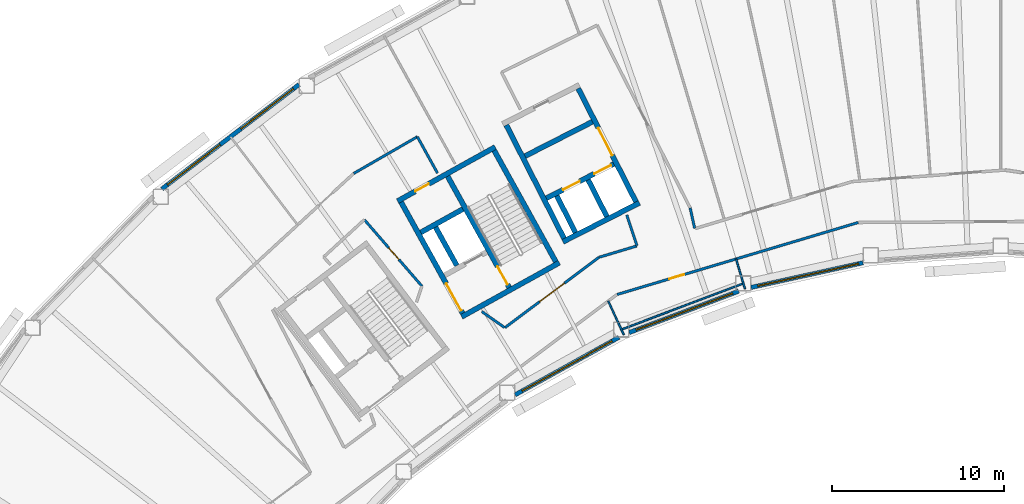
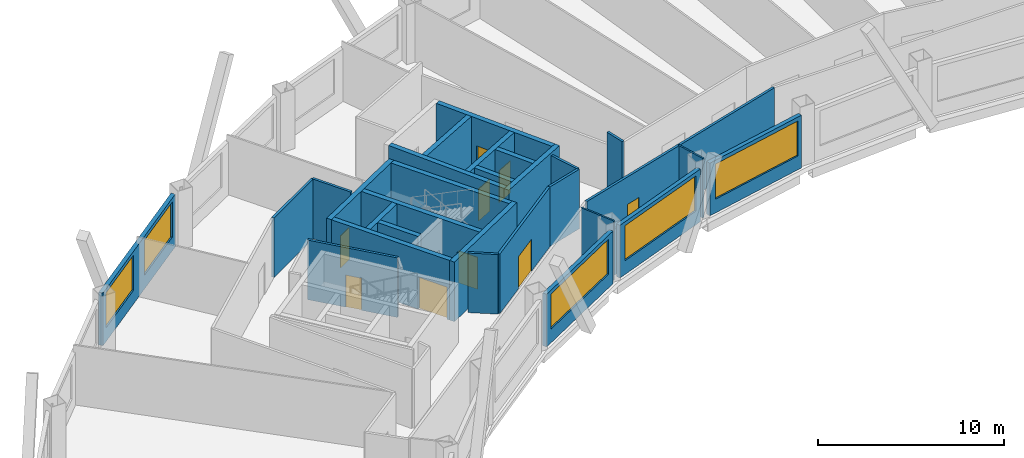
# One storey, part 6 of 13: 30 walls, 9 doors, 5 windows, 14 openings.
"""IFC4 building model written with IfcOpenShell, lengths in metres."""

from ifc_helpers import new_model, si_unit, direction, frame, frame_2d, origin, place, context, subcontext, project, spatial, rectangle, extrude, material, layer, layer_set, type_object, element, fill, save


model = new_model("IFC4")

# Units and contexts
model_context = context("Model", 3, precision=1e-05, world=origin(), true_north=direction((0.0, 1.0)))
body_context = subcontext(model_context, "Body", "Model", "MODEL_VIEW")
ifc_project = project(units=[si_unit("LENGTHUNIT", "METRE"), si_unit("AREAUNIT", "SQUARE_METRE"), si_unit("VOLUMEUNIT", "CUBIC_METRE"), si_unit("PLANEANGLEUNIT", "RADIAN"), si_unit("MASSUNIT", "GRAM", prefix="KILO")], contexts=[model_context])

# Site, building, storey
site_placement = place(None, origin())
site = spatial("IfcSite", under=ifc_project, at=site_placement, CompositionType="ELEMENT")
building_placement = place(site_placement, origin())
building = spatial("IfcBuilding", under=site, at=building_placement, Name="Tuul Gate Civic Tower", CompositionType="ELEMENT")
storey_placement = place(building_placement, frame((0.0, 0.0, 188.89990234375)))
storey = spatial("IfcBuildingStorey", under=building, at=storey_placement, Name="Level 43", CompositionType="ELEMENT", Elevation=188.89990234375)

# Walls
ifc_material_1 = material(Name="Concrete C50/60", Category="concrete")
ifc_layer_1 = layer(ifc_material_1, 0.300048828125)
ifc_layer_set_1 = layer_set([ifc_layer_1], Name="Concrete C50/60")
wall_type_1 = type_object("IfcWallType", Name="Core wall C50/60", PredefinedType="SHEAR", material=ifc_layer_set_1)
wall_1_placement = place(storey_placement, frame((-24.711669921875, -8.7158203125, 0.0), z_axis=(0.0, 0.0, 1.0), x_axis=(-0.874629909008, -0.484791215132, 0.0)))
element("IfcWall", 1, at=wall_1_placement, inside=storey, type_object=wall_type_1, Name="Core wall", PredefinedType="SHEAR", context=body_context, shape_type="SweptSolid", body=[
    extrude(rectangle(XDim=6.5, YDim=0.300048828125, at=frame_2d((3.25, 0.0))), origin(), (0.0, 0.0, 1.0), 3.900146484375),
])
wall_2_placement = place(storey_placement, frame((-30.327392578125, -5.59716796875, 0.0), z_axis=(0.0, 0.0, 1.0), x_axis=(-0.874629840737, -0.484791338301, 0.0)))
element("IfcWall", 2, at=wall_2_placement, inside=storey, type_object=wall_type_1, Name="Core wall", PredefinedType="SHEAR", context=body_context, shape_type="SweptSolid", body=[
    extrude(rectangle(XDim=2.800048828125, YDim=0.300048828125, at=frame_2d((1.39990234375, 0.0))), origin(), (0.0, 0.0, 1.0), 3.900146484375),
])

# Wall, opening, door
wall_3_placement = place(storey_placement, frame((-28.4443359375, -1.98095703125, 0.0), z_axis=(0.0, 0.0, 1.0), x_axis=(-0.874629909008, -0.484791215132, 0.0)))
wall_3 = element("IfcWall", 3, at=wall_3_placement, inside=storey, type_object=wall_type_1, Name="Core wall", PredefinedType="SHEAR", context=body_context, shape_type="SweptSolid", body=[
    extrude(rectangle(XDim=6.5, YDim=0.300048828125, at=frame_2d((3.25, 0.0))), origin(), (0.0, 0.0, 1.0), 3.900146484375),
])
opening_1_placement = place(wall_3_placement, frame((4.425048828125, 0.0, 0.0)))
opening_1 = element("IfcOpeningElement", 4, at=opening_1_placement, cuts=wall_3, Name="Opening O-D26", PredefinedType="OPENING", context=body_context, shape_type="SweptSolid", body=[
    extrude(rectangle(XDim=0.89990234375, YDim=2.10009765625, at=frame_2d((0.449951171875, 1.050048828125))), frame((0.0, 0.16015625, 0.0), z_axis=(0.0, -1.0, 0.0), x_axis=(1.0, 0.0, 0.0)), (0.0, 0.0, 1.0), 0.320068359375),
])
ifc_material_2 = material(Name="Timber door leaf", Category="wood")
door_type_1 = type_object("IfcDoorType", Name="Door D09", OperationType="NOTDEFINED", PredefinedType="DOOR", material=ifc_material_2)
door_1_placement = place(opening_1_placement, origin())
door_1 = element("IfcDoor", 5, at=door_1_placement, inside=storey, type_object=door_type_1, Name="Door O-D26", OperationType="SINGLE_SWING_LEFT", OverallHeight=2.10009765625, OverallWidth=0.89990234375, PredefinedType="DOOR", context=body_context, shape_type="SweptSolid", body=[
    extrude(rectangle(XDim=0.89990234375, YDim=2.10009765625, at=frame_2d((0.449951171875, 1.050048828125))), frame((0.0, 0.02490234375, 0.0), z_axis=(0.0, -1.0, 0.0), x_axis=(1.0, 0.0, 0.0)), (0.0, 0.0, 1.0), 0.050048828125),
])
fill(opening_1, door_1)

# Wall
wall_4_placement = place(storey_placement, frame((-24.91552734375, -8.6572265625, 0.0), z_axis=(0.0, 0.0, 1.0), x_axis=(-0.484777133038, 0.874637714304, 0.0)))
element("IfcWall", 6, at=wall_4_placement, inside=storey, type_object=wall_type_1, Name="Core wall", PredefinedType="SHEAR", context=body_context, shape_type="SweptSolid", body=[
    extrude(rectangle(XDim=7.400146484375, YDim=0.300048828125, at=frame_2d((3.7001953125, 0.0))), origin(), (0.0, 0.0, 1.0), 3.900146484375),
])

# Wall, opening, door
wall_5_placement = place(storey_placement, frame((-27.626953125, -10.16015625, 0.0), z_axis=(0.0, 0.0, 1.0), x_axis=(-0.484751894226, 0.874651702704, 0.0)))
wall_5 = element("IfcWall", 7, at=wall_5_placement, inside=storey, type_object=wall_type_1, Name="Core wall", PredefinedType="SHEAR", context=body_context, shape_type="SweptSolid", body=[
    extrude(rectangle(XDim=7.39990234375, YDim=0.300048828125, at=frame_2d((3.699951171875, 0.0))), origin(), (0.0, 0.0, 1.0), 3.900146484375),
])
opening_2_placement = place(wall_5_placement, frame((0.199951171875, 0.0, 0.0)))
opening_2 = element("IfcOpeningElement", 8, at=opening_2_placement, cuts=wall_5, Name="Opening SD-ST-2", PredefinedType="OPENING", context=body_context, shape_type="SweptSolid", body=[
    extrude(rectangle(XDim=1.199951171875, YDim=2.10009765625, at=frame_2d((0.60009765625, 1.050048828125))), frame((0.0, 0.16015625, 0.0), z_axis=(0.0, -1.0, 0.0), x_axis=(1.0, 0.0, 0.0)), (0.0, 0.0, 1.0), 0.320068359375),
])
ifc_material_3 = material(Name="Steel", Category="steel")
door_type_2 = type_object("IfcDoorType", Name="Stair door", OperationType="NOTDEFINED", PredefinedType="DOOR", material=ifc_material_3)
door_2_placement = place(opening_2_placement, origin())
door_2 = element("IfcDoor", 9, at=door_2_placement, inside=storey, type_object=door_type_2, Name="Stair door ST-2", OperationType="SINGLE_SWING_LEFT", OverallHeight=2.10009765625, OverallWidth=1.199951171875, PredefinedType="DOOR", context=body_context, shape_type="SweptSolid", body=[
    extrude(rectangle(XDim=1.199951171875, YDim=2.10009765625, at=frame_2d((0.60009765625, 1.050048828125))), frame((0.0, 0.02490234375, 0.0), z_axis=(0.0, -1.0, 0.0), x_axis=(1.0, 0.0, 0.0)), (0.0, 0.0, 1.0), 0.050048828125),
])
fill(opening_2, door_2)

# Wall
wall_6_placement = place(storey_placement, frame((-30.680419921875, -8.8798828125, 0.0), z_axis=(0.0, 0.0, 1.0), x_axis=(-0.484724115216, 0.874667097888, 0.0)))
element("IfcWall", 10, at=wall_6_placement, inside=storey, type_object=wall_type_1, Name="Core wall", PredefinedType="SHEAR", context=body_context, shape_type="SweptSolid", body=[
    extrude(rectangle(XDim=2.550048828125, YDim=0.300048828125, at=frame_2d((1.27490234375, 0.0))), origin(), (0.0, 0.0, 1.0), 3.900146484375),
])

# Wall, opening, door
wall_7_placement = place(storey_placement, frame((-30.33837890625, -11.6630859375, 0.0), z_axis=(0.0, 0.0, 1.0), x_axis=(-0.484751894226, 0.874651702704, 0.0)))
wall_7 = element("IfcWall", 11, at=wall_7_placement, inside=storey, type_object=wall_type_1, Name="Core wall", PredefinedType="SHEAR", context=body_context, shape_type="SweptSolid", body=[
    extrude(rectangle(XDim=7.39990234375, YDim=0.300048828125, at=frame_2d((3.699951171875, 0.0))), origin(), (0.0, 0.0, 1.0), 3.900146484375),
])
opening_3_placement = place(wall_7_placement, frame((0.175048828125, 0.0, 0.0)))
opening_3 = element("IfcOpeningElement", 12, at=opening_3_placement, cuts=wall_7, Name="Opening LB-W2-FLOBBY-1", PredefinedType="OPENING", context=body_context, shape_type="SweptSolid", body=[
    extrude(rectangle(XDim=1.800048828125, YDim=2.10009765625, at=frame_2d((0.89990234375, 1.050048828125))), frame((0.0, 0.16015625, 0.0), z_axis=(0.0, -1.0, 0.0), x_axis=(1.0, 0.0, 0.0)), (0.0, 0.0, 1.0), 0.320068359375),
])
ifc_material_4 = material(Name="Steel", Category="steel")
door_type_3 = type_object("IfcDoorType", Name="Lobby door", OperationType="DOUBLE_DOOR_SINGLE_SWING", PredefinedType="DOOR", material=ifc_material_4)
door_3_placement = place(opening_3_placement, frame((1.800048828125, 0.0, 0.0), z_axis=(0.0, 0.0, 1.0), x_axis=(-1.0, 0.0, 0.0)))
door_3 = element("IfcDoor", 13, at=door_3_placement, inside=storey, type_object=door_type_3, Name="Lobby door W2-FLOBBY", OperationType="DOUBLE_DOOR_SINGLE_SWING", OverallHeight=2.10009765625, OverallWidth=1.800048828125, PredefinedType="DOOR", context=body_context, shape_type="SweptSolid", body=[
    extrude(rectangle(XDim=1.800048828125, YDim=2.10009765625, at=frame_2d((0.900146484375, 1.050048828125))), frame((0.0, 0.02490234375, 0.0), z_axis=(0.0, -1.0, 0.0), x_axis=(1.0, 0.0, 0.0)), (0.0, 0.0, 1.0), 0.050048828125),
])
fill(opening_3, door_3)

# Walls
ifc_material_5 = material(Name="Gypsum board partition")
ifc_layer_2 = layer(ifc_material_5, 0.14990234375)
ifc_layer_set_2 = layer_set([ifc_layer_2], Name="Gypsum board partition")
wall_type_2 = type_object("IfcWallType", Name="Corridor wall P150", PredefinedType="PARTITIONING", material=ifc_layer_set_2)
wall_8_placement = place(storey_placement, frame((-22.3984375, -8.3994140625, 0.0), z_axis=(0.0, 0.0, 1.0), x_axis=(0.958110373466, 0.286399218323, 0.0)))
element("IfcWall", 14, at=wall_8_placement, inside=storey, type_object=wall_type_2, Name="p038", PredefinedType="PARTITIONING", context=body_context, shape_type="SweptSolid", body=[
    extrude(rectangle(XDim=2.29052734375, YDim=0.14990234375, at=frame_2d((1.145263671875, 0.0))), origin(), (0.0, 0.0, 1.0), 3.900146484375),
])
wall_9_placement = place(storey_placement, frame((-17.09326171875, -5.527099609375, 0.0), z_axis=(0.0, 0.0, 1.0), x_axis=(0.214248284718, -0.976779234267, 0.0)))
element("IfcWall", 15, at=wall_9_placement, inside=storey, type_object=wall_type_2, Name="p043", PredefinedType="PARTITIONING", context=body_context, shape_type="SweptSolid", body=[
    extrude(rectangle(XDim=1.21484375, YDim=0.14990234375, at=frame_2d((0.607421875, 0.0))), origin(), (0.0, 0.0, 1.0), 3.900146484375),
])
wall_10_placement = place(storey_placement, frame((-20.781005859375, -5.94189453125, 0.0), z_axis=(0.0, 0.0, 1.0), x_axis=(0.315405870294, -0.948956867821, 0.0)))
element("IfcWall", 16, at=wall_10_placement, inside=storey, type_object=wall_type_2, Name="p048", PredefinedType="PARTITIONING", context=body_context, shape_type="SweptSolid", body=[
    extrude(rectangle(XDim=1.87158203125, YDim=0.14990234375, at=frame_2d((0.935791015625, 0.0))), origin(), (0.0, 0.0, 1.0), 3.900146484375),
])

# Wall, opening, door
wall_11_placement = place(storey_placement, frame((-27.875, -12.496337890625, 0.0), z_axis=(0.0, 0.0, 1.0), x_axis=(0.800736165512, 0.599017189437, 0.0)))
wall_11 = element("IfcWall", 17, at=wall_11_placement, inside=storey, type_object=wall_type_2, Name="p051", PredefinedType="PARTITIONING", context=body_context, shape_type="SweptSolid", body=[
    extrude(rectangle(XDim=6.83935546875, YDim=0.14990234375, at=frame_2d((3.419677734375, 0.0))), origin(), (0.0, 0.0, 1.0), 3.900146484375),
])
opening_4_placement = place(wall_11_placement, frame((2.519775390625, 0.0, 0.0)))
opening_4 = element("IfcOpeningElement", 18, at=opening_4_placement, cuts=wall_11, Name="Opening O-D15", PredefinedType="OPENING", context=body_context, shape_type="SweptSolid", body=[
    extrude(rectangle(XDim=1.800048828125, YDim=2.10009765625, at=frame_2d((0.89990234375, 1.050048828125))), frame((0.0, 0.0849609375, 0.0), z_axis=(0.0, -1.0, 0.0), x_axis=(1.0, 0.0, 0.0)), (0.0, 0.0, 1.0), 0.169921875),
])
ifc_material_6 = material(Name="Timber door leaf, double", Category="wood")
door_type_4 = type_object("IfcDoorType", Name="Door D18", OperationType="DOUBLE_DOOR_SINGLE_SWING", PredefinedType="DOOR", material=ifc_material_6)
door_4_placement = place(opening_4_placement, origin())
door_4 = element("IfcDoor", 19, at=door_4_placement, inside=storey, type_object=door_type_4, Name="Door O-D15", OperationType="DOUBLE_DOOR_SINGLE_SWING", OverallHeight=2.10009765625, OverallWidth=1.800048828125, PredefinedType="DOOR", context=body_context, shape_type="SweptSolid", body=[
    extrude(rectangle(XDim=1.800048828125, YDim=2.10009765625, at=frame_2d((0.89990234375, 1.050048828125))), frame((0.0, 0.02490234375, 0.0), z_axis=(0.0, -1.0, 0.0), x_axis=(1.0, 0.0, 0.0)), (0.0, 0.0, 1.0), 0.050048828125),
])
fill(opening_4, door_4)

# Walls
wall_12_placement = place(storey_placement, frame((-29.22509765625, -11.560302734375, 0.0), z_axis=(0.0, 0.0, 1.0), x_axis=(0.818164960275, -0.57498356305, 0.0)))
element("IfcWall", 20, at=wall_12_placement, inside=storey, type_object=wall_type_2, Name="p052", PredefinedType="PARTITIONING", context=body_context, shape_type="SweptSolid", body=[
    extrude(rectangle(XDim=1.62548828125, YDim=0.14990234375, at=frame_2d((0.812744140625, 0.0))), origin(), (0.0, 0.0, 1.0), 3.900146484375),
])
wall_13_placement = place(storey_placement, frame((-32.97705078125, -1.38330078125, 0.0), z_axis=(0.0, 0.0, 1.0), x_axis=(0.484666108147, -0.874699241805, 0.0)))
element("IfcWall", 21, at=wall_13_placement, inside=storey, type_object=wall_type_2, Name="p054", PredefinedType="PARTITIONING", context=body_context, shape_type="SweptSolid", body=[
    extrude(rectangle(XDim=2.419921875, YDim=0.14990234375, at=frame_2d((1.2099609375, 0.0))), origin(), (0.0, 0.0, 1.0), 3.900146484375),
])
wall_14_placement = place(storey_placement, frame((-36.682861328125, -3.5205078125, 0.0), z_axis=(0.0, 0.0, 1.0), x_axis=(0.866195088107, 0.499705982893, 0.0)))
element("IfcWall", 22, at=wall_14_placement, inside=storey, type_object=wall_type_2, Name="p055", PredefinedType="PARTITIONING", context=body_context, shape_type="SweptSolid", body=[
    extrude(rectangle(XDim=4.27734375, YDim=0.14990234375, at=frame_2d((2.138671875, 0.0))), origin(), (0.0, 0.0, 1.0), 3.900146484375),
])

# Wall, opening, door
wall_15_placement = place(storey_placement, frame((-21.347900390625, -10.5673828125, 0.0), z_axis=(0.0, 0.0, 1.0), x_axis=(0.958201559869, 0.286093989214, 0.0)))
wall_15 = element("IfcWall", 23, at=wall_15_placement, inside=storey, type_object=wall_type_2, Name="p062", PredefinedType="PARTITIONING", context=body_context, shape_type="SweptSolid", body=[
    extrude(rectangle(XDim=14.650390625, YDim=0.14990234375, at=frame_2d((7.3251953125, 0.0))), origin(), (0.0, 0.0, 1.0), 3.900146484375),
])
opening_5_placement = place(wall_15_placement, frame((3.165283203125, 0.0, 0.0)))
opening_5 = element("IfcOpeningElement", 24, at=opening_5_placement, cuts=wall_15, Name="Opening O-D20", PredefinedType="OPENING", context=body_context, shape_type="SweptSolid", body=[
    extrude(rectangle(XDim=0.89990234375, YDim=2.10009765625, at=frame_2d((0.449951171875, 1.050048828125))), frame((0.0, 0.0849609375, 0.0), z_axis=(0.0, -1.0, 0.0), x_axis=(1.0, 0.0, 0.0)), (0.0, 0.0, 1.0), 0.169921875),
])
door_5_placement = place(opening_5_placement, frame((0.89990234375, 0.0, 0.0), z_axis=(0.0, 0.0, 1.0), x_axis=(-1.0, 0.0, 0.0)))
door_5 = element("IfcDoor", 25, at=door_5_placement, inside=storey, type_object=door_type_1, Name="Door O-D20", OperationType="SINGLE_SWING_LEFT", OverallHeight=2.10009765625, OverallWidth=0.89990234375, PredefinedType="DOOR", context=body_context, shape_type="SweptSolid", body=[
    extrude(rectangle(XDim=0.89990234375, YDim=2.10009765625, at=frame_2d((0.449951171875, 1.050048828125))), frame((0.0, 0.02490234375, 0.0), z_axis=(0.0, -1.0, 0.0), x_axis=(1.0, 0.0, 0.0)), (0.0, 0.0, 1.0), 0.050048828125),
])
fill(opening_5, door_5)

wall_16_placement = place(storey_placement, frame((-36.064208984375, -6.21044921875, 0.0), z_axis=(0.0, 0.0, 1.0), x_axis=(0.654790642305, -0.755810303416, 0.0)))
wall_16 = element("IfcWall", 26, at=wall_16_placement, inside=storey, type_object=wall_type_2, Name="p067", PredefinedType="PARTITIONING", context=body_context, shape_type="SweptSolid", body=[
    extrude(rectangle(XDim=5.1162109375, YDim=0.14990234375, at=frame_2d((2.55810546875, 0.0))), origin(), (0.0, 0.0, 1.0), 3.900146484375),
])
opening_6_placement = place(wall_16_placement, frame((2.1748046875, 0.0, 0.0)))
opening_6 = element("IfcOpeningElement", 27, at=opening_6_placement, cuts=wall_16, Name="Opening O-D22", PredefinedType="OPENING", context=body_context, shape_type="SweptSolid", body=[
    extrude(rectangle(XDim=0.89990234375, YDim=2.10009765625, at=frame_2d((0.449951171875, 1.050048828125))), frame((0.0, 0.0849609375, 0.0), z_axis=(0.0, -1.0, 0.0), x_axis=(1.0, 0.0, 0.0)), (0.0, 0.0, 1.0), 0.169921875),
])
door_6_placement = place(opening_6_placement, origin())
door_6 = element("IfcDoor", 28, at=door_6_placement, inside=storey, type_object=door_type_1, Name="Door O-D22", OperationType="SINGLE_SWING_RIGHT", OverallHeight=2.10009765625, OverallWidth=0.89990234375, PredefinedType="DOOR", context=body_context, shape_type="SweptSolid", body=[
    extrude(rectangle(XDim=0.89990234375, YDim=2.10009765625, at=frame_2d((0.449951171875, 1.050048828125))), frame((0.0, 0.02490234375, 0.0), z_axis=(0.0, -1.0, 0.0), x_axis=(1.0, 0.0, 0.0)), (0.0, 0.0, 1.0), 0.050048828125),
])
fill(opening_6, door_6)

# Wall, openings, windows
ifc_material_7 = material(Name="Precast concrete C40/50", Category="concrete")
ifc_layer_3 = layer(ifc_material_7, 0.25)
ifc_layer_set_3 = layer_set([ifc_layer_3], Name="Precast concrete C40/50")
wall_type_3 = type_object("IfcWallType", Name="External wall", PredefinedType="STANDARD", material=ifc_layer_set_3)
wall_17_placement = place(storey_placement, frame((-39.862060546875, 1.659423828125, 0.0), z_axis=(0.0, 0.0, 1.0), x_axis=(-0.795600211162, -0.605822006862, 0.0)))
wall_17 = element("IfcWall", 29, at=wall_17_placement, inside=storey, type_object=wall_type_3, Name="External wall", PredefinedType="STANDARD", context=body_context, shape_type="SweptSolid", body=[
    extrude(rectangle(XDim=10.043212890625, YDim=0.25, at=frame_2d((5.021484375, 0.0))), origin(), (0.0, 0.0, 1.0), 3.4501953125),
])
opening_7_placement = place(wall_17_placement, frame((0.410400390625, 0.0, 0.89990234375)))
opening_7 = element("IfcOpeningElement", 30, at=opening_7_placement, cuts=wall_17, Name="Opening W22", PredefinedType="OPENING", context=body_context, shape_type="SweptSolid", body=[
    extrude(rectangle(XDim=3.85009765625, YDim=2.300048828125, at=frame_2d((1.925048828125, 1.14990234375))), frame((0.0, 0.135009765625, 0.0), z_axis=(0.0, -1.0, 0.0), x_axis=(1.0, 0.0, 0.0)), (0.0, 0.0, 1.0), 0.27001953125),
])
opening_8_placement = place(wall_17_placement, frame((5.78173828125, 0.0, 0.89990234375)))
opening_8 = element("IfcOpeningElement", 31, at=opening_8_placement, cuts=wall_17, Name="Opening W22", PredefinedType="OPENING", context=body_context, shape_type="SweptSolid", body=[
    extrude(rectangle(XDim=3.85009765625, YDim=2.300048828125, at=frame_2d((1.925048828125, 1.14990234375))), frame((0.0, 0.135009765625, 0.0), z_axis=(0.0, -1.0, 0.0), x_axis=(1.0, 0.0, 0.0)), (0.0, 0.0, 1.0), 0.27001953125),
])
ifc_material_8 = material(Name="Glass", Category="glass")
window_type_1 = type_object("IfcWindowType", Name="Window W22 3850 x 2300", PartitioningType="SINGLE_PANEL", PredefinedType="WINDOW", material=ifc_material_8)
window_1_placement = place(opening_7_placement, origin())
window_1 = element("IfcWindow", 32, at=window_1_placement, inside=storey, type_object=window_type_1, Name="Window", OverallHeight=2.300048828125, OverallWidth=3.85009765625, PartitioningType="SINGLE_PANEL", PredefinedType="WINDOW", context=body_context, shape_type="SweptSolid", body=[
    extrude(rectangle(XDim=3.85009765625, YDim=2.300048828125, at=frame_2d((1.925048828125, 1.14990234375))), frame((0.0, 0.030029296875, 0.0), z_axis=(0.0, -1.0, 0.0), x_axis=(1.0, 0.0, 0.0)), (0.0, 0.0, 1.0), 0.06005859375),
])
fill(opening_7, window_1)
window_2_placement = place(opening_8_placement, origin())
window_2 = element("IfcWindow", 33, at=window_2_placement, inside=storey, type_object=window_type_1, Name="Window", OverallHeight=2.300048828125, OverallWidth=3.85009765625, PartitioningType="SINGLE_PANEL", PredefinedType="WINDOW", context=body_context, shape_type="SweptSolid", body=[
    extrude(rectangle(XDim=3.85009765625, YDim=2.300048828125, at=frame_2d((1.925048828125, 1.14990234375))), frame((0.0, 0.030029296875, 0.0), z_axis=(0.0, -1.0, 0.0), x_axis=(1.0, 0.0, 0.0)), (0.0, 0.0, 1.0), 0.06005859375),
])
fill(opening_8, window_2)

# Wall, opening, window
wall_18_placement = place(storey_placement, frame((-27.287109375, -16.41064453125, 0.0), z_axis=(0.0, 0.0, 1.0), x_axis=(0.874626480016, 0.484797401452, 0.0)))
wall_18 = element("IfcWall", 34, at=wall_18_placement, inside=storey, type_object=wall_type_3, Name="External wall", PredefinedType="STANDARD", context=body_context, shape_type="SweptSolid", body=[
    extrude(rectangle(XDim=6.915283203125, YDim=0.25, at=frame_2d((3.45751953125, 0.0))), origin(), (0.0, 0.0, 1.0), 3.4501953125),
])
opening_9_placement = place(wall_18_placement, frame((0.4619140625, 0.0, 0.89990234375)))
opening_9 = element("IfcOpeningElement", 35, at=opening_9_placement, cuts=wall_18, Name="Opening W26", PredefinedType="OPENING", context=body_context, shape_type="SweptSolid", body=[
    extrude(rectangle(XDim=6.0, YDim=2.300048828125, at=frame_2d((3.0, 1.14990234375))), frame((0.0, 0.135009765625, 0.0), z_axis=(0.0, -1.0, 0.0), x_axis=(1.0, 0.0, 0.0)), (0.0, 0.0, 1.0), 0.27001953125),
])
ifc_material_9 = material(Name="Glass", Category="glass")
window_type_2 = type_object("IfcWindowType", Name="Window W26 6000 x 2300", PartitioningType="SINGLE_PANEL", PredefinedType="WINDOW", material=ifc_material_9)
window_3_placement = place(opening_9_placement, origin())
window_3 = element("IfcWindow", 36, at=window_3_placement, inside=storey, type_object=window_type_2, Name="Window", OverallHeight=2.300048828125, OverallWidth=6.0, PartitioningType="SINGLE_PANEL", PredefinedType="WINDOW", context=body_context, shape_type="SweptSolid", body=[
    extrude(rectangle(XDim=6.0, YDim=2.300048828125, at=frame_2d((3.0, 1.14990234375))), frame((0.0, 0.030029296875, 0.0), z_axis=(0.0, -1.0, 0.0), x_axis=(1.0, 0.0, 0.0)), (0.0, 0.0, 1.0), 0.06005859375),
])
fill(opening_9, window_3)

wall_19_placement = place(storey_placement, frame((-20.64697265625, -12.78515625, 0.0), z_axis=(0.0, 0.0, 1.0), x_axis=(0.935360534404, 0.353695731779, 0.0)))
wall_19 = element("IfcWall", 37, at=wall_19_placement, inside=storey, type_object=wall_type_3, Name="External wall", PredefinedType="STANDARD", context=body_context, shape_type="SweptSolid", body=[
    extrude(rectangle(XDim=6.81982421875, YDim=0.25, at=frame_2d((3.409912109375, 0.0))), origin(), (0.0, 0.0, 1.0), 3.4501953125),
])
opening_10_placement = place(wall_19_placement, frame((0.43798828125, 0.0, 0.89990234375)))
opening_10 = element("IfcOpeningElement", 38, at=opening_10_placement, cuts=wall_19, Name="Opening W26", PredefinedType="OPENING", context=body_context, shape_type="SweptSolid", body=[
    extrude(rectangle(XDim=6.0, YDim=2.300048828125, at=frame_2d((3.0, 1.14990234375))), frame((0.0, 0.135009765625, 0.0), z_axis=(0.0, -1.0, 0.0), x_axis=(1.0, 0.0, 0.0)), (0.0, 0.0, 1.0), 0.27001953125),
])
window_4_placement = place(opening_10_placement, origin())
window_4 = element("IfcWindow", 39, at=window_4_placement, inside=storey, type_object=window_type_2, Name="Window", OverallHeight=2.300048828125, OverallWidth=6.0, PartitioningType="SINGLE_PANEL", PredefinedType="WINDOW", context=body_context, shape_type="SweptSolid", body=[
    extrude(rectangle(XDim=6.0, YDim=2.300048828125, at=frame_2d((3.0, 1.14990234375))), frame((0.0, 0.030029296875, 0.0), z_axis=(0.0, -1.0, 0.0), x_axis=(1.0, 0.0, 0.0)), (0.0, 0.0, 1.0), 0.06005859375),
])
fill(opening_10, window_4)

wall_20_placement = place(storey_placement, frame((-13.5458984375, -10.15625, 0.0), z_axis=(0.0, 0.0, 1.0), x_axis=(0.976558520258, 0.21525207667, 0.0)))
wall_20 = element("IfcWall", 40, at=wall_20_placement, inside=storey, type_object=wall_type_3, Name="External wall", PredefinedType="STANDARD", context=body_context, shape_type="SweptSolid", body=[
    extrude(rectangle(XDim=6.670166015625, YDim=0.25, at=frame_2d((3.3349609375, 0.0))), origin(), (0.0, 0.0, 1.0), 3.4501953125),
])
opening_11_placement = place(wall_20_placement, frame((0.406982421875, 0.0, 0.89990234375)))
opening_11 = element("IfcOpeningElement", 41, at=opening_11_placement, cuts=wall_20, Name="Opening W26", PredefinedType="OPENING", context=body_context, shape_type="SweptSolid", body=[
    extrude(rectangle(XDim=6.0, YDim=2.300048828125, at=frame_2d((3.0, 1.14990234375))), frame((0.0, 0.135009765625, 0.0), z_axis=(0.0, -1.0, 0.0), x_axis=(1.0, 0.0, 0.0)), (0.0, 0.0, 1.0), 0.27001953125),
])
window_5_placement = place(opening_11_placement, origin())
window_5 = element("IfcWindow", 42, at=window_5_placement, inside=storey, type_object=window_type_2, Name="Window", OverallHeight=2.300048828125, OverallWidth=6.0, PartitioningType="SINGLE_PANEL", PredefinedType="WINDOW", context=body_context, shape_type="SweptSolid", body=[
    extrude(rectangle(XDim=6.0, YDim=2.300048828125, at=frame_2d((3.0, 1.14990234375))), frame((0.0, 0.030029296875, 0.0), z_axis=(0.0, -1.0, 0.0), x_axis=(1.0, 0.0, 0.0)), (0.0, 0.0, 1.0), 0.06005859375),
])
fill(opening_11, window_5)

# Wall
ifc_material_10 = material(Name="Concrete C40/50", Category="concrete")
ifc_layer_4 = layer(ifc_material_10, 0.300048828125)
ifc_layer_set_4 = layer_set([ifc_layer_4], Name="Concrete C40/50")
wall_type_4 = type_object("IfcWallType", Name="Lift shaft wall C40/50", PredefinedType="STANDARD", material=ifc_layer_set_4)
wall_21_placement = place(storey_placement, frame((-20.049072265625, -5.232421875, 0.0), z_axis=(0.0, 0.0, 1.0), x_axis=(-0.891002976909, -0.453997461601, 0.0)))
element("IfcWall", 43, at=wall_21_placement, inside=storey, type_object=wall_type_4, Name="Shaft wall", PredefinedType="STANDARD", context=body_context, shape_type="SweptSolid", body=[
    extrude(rectangle(XDim=5.0, YDim=0.300048828125, at=frame_2d((2.5, 0.0))), origin(), (0.0, 0.0, 1.0), 3.900146484375),
])

# Wall, openings, doors
wall_22_placement = place(storey_placement, frame((-21.542236328125, -2.962890625, 0.0), z_axis=(0.0, 0.0, 1.0), x_axis=(-0.891005618941, -0.453992276384, 0.0)))
wall_22 = element("IfcWall", 44, at=wall_22_placement, inside=storey, type_object=wall_type_4, Name="Shaft wall", PredefinedType="STANDARD", context=body_context, shape_type="SweptSolid", body=[
    extrude(rectangle(XDim=4.39990234375, YDim=0.300048828125, at=frame_2d((2.199951171875, 0.0))), origin(), (0.0, 0.0, 1.0), 3.900146484375),
])
opening_12_placement = place(wall_22_placement, frame((0.175048828125, 0.0, 0.0)))
opening_12 = element("IfcOpeningElement", 45, at=opening_12_placement, cuts=wall_22, Name="Opening LD-M1", PredefinedType="OPENING", context=body_context, shape_type="SweptSolid", body=[
    extrude(rectangle(XDim=1.10009765625, YDim=2.10009765625, at=frame_2d((0.550048828125, 1.050048828125))), frame((0.0, 0.16015625, 0.0), z_axis=(0.0, -1.0, 0.0), x_axis=(1.0, 0.0, 0.0)), (0.0, 0.0, 1.0), 0.320068359375),
])
opening_13_placement = place(wall_22_placement, frame((2.22509765625, 0.0, 0.0)))
opening_13 = element("IfcOpeningElement", 46, at=opening_13_placement, cuts=wall_22, Name="Opening LD-M2", PredefinedType="OPENING", context=body_context, shape_type="SweptSolid", body=[
    extrude(rectangle(XDim=1.10009765625, YDim=2.10009765625, at=frame_2d((0.550048828125, 1.050048828125))), frame((0.0, 0.16015625, 0.0), z_axis=(0.0, -1.0, 0.0), x_axis=(1.0, 0.0, 0.0)), (0.0, 0.0, 1.0), 0.320068359375),
])
ifc_material_11 = material(Name="Stainless steel", Category="steel")
door_type_5 = type_object("IfcDoorType", Name="Landing door", OperationType="DOUBLE_DOOR_SLIDING", PredefinedType="DOOR", material=ifc_material_11)
door_7_placement = place(opening_12_placement, origin())
door_7 = element("IfcDoor", 47, at=door_7_placement, inside=storey, type_object=door_type_5, Name="Mid-rise lift M1 landing door", OperationType="DOUBLE_DOOR_SLIDING", OverallHeight=2.10009765625, OverallWidth=1.10009765625, PredefinedType="DOOR", context=body_context, shape_type="SweptSolid", body=[
    extrude(rectangle(XDim=1.10009765625, YDim=2.10009765625, at=frame_2d((0.550048828125, 1.050048828125))), frame((0.0, 0.02490234375, 0.0), z_axis=(0.0, -1.0, 0.0), x_axis=(1.0, 0.0, 0.0)), (0.0, 0.0, 1.0), 0.050048828125),
])
fill(opening_12, door_7)
door_8_placement = place(opening_13_placement, origin())
door_8 = element("IfcDoor", 48, at=door_8_placement, inside=storey, type_object=door_type_5, Name="Mid-rise lift M2 landing door", OperationType="DOUBLE_DOOR_SLIDING", OverallHeight=2.10009765625, OverallWidth=1.10009765625, PredefinedType="DOOR", context=body_context, shape_type="SweptSolid", body=[
    extrude(rectangle(XDim=1.10009765625, YDim=2.10009765625, at=frame_2d((0.550048828125, 1.050048828125))), frame((0.0, 0.02490234375, 0.0), z_axis=(0.0, -1.0, 0.0), x_axis=(1.0, 0.0, 0.0)), (0.0, 0.0, 1.0), 0.050048828125),
])
fill(opening_13, door_8)

# Wall
wall_23_placement = place(storey_placement, frame((-22.790771484375, -0.5126953125, 0.0), z_axis=(0.0, 0.0, 1.0), x_axis=(-0.891005618941, -0.453992276384, 0.0)))
element("IfcWall", 49, at=wall_23_placement, inside=storey, type_object=wall_type_4, Name="Shaft wall", PredefinedType="STANDARD", context=body_context, shape_type="SweptSolid", body=[
    extrude(rectangle(XDim=4.39990234375, YDim=0.300048828125, at=frame_2d((2.199951171875, 0.0))), origin(), (0.0, 0.0, 1.0), 3.900146484375),
])

# Wall, opening, door
wall_24_placement = place(storey_placement, frame((-20.2509765625, -5.166748046875, 0.0), z_axis=(0.0, 0.0, 1.0), x_axis=(-0.45401029361, 0.89099643843, 0.0)))
wall_24 = element("IfcWall", 50, at=wall_24_placement, inside=storey, type_object=wall_type_4, Name="Shaft wall", PredefinedType="STANDARD", context=body_context, shape_type="SweptSolid", body=[
    extrude(rectangle(XDim=7.39990234375, YDim=0.300048828125, at=frame_2d((3.699951171875, 0.0))), origin(), (0.0, 0.0, 1.0), 3.900146484375),
])
opening_14_placement = place(wall_24_placement, frame((3.02490234375, 0.0, 0.0)))
opening_14 = element("IfcOpeningElement", 51, at=opening_14_placement, cuts=wall_24, Name="Opening LB-W3-LOBBY-1", PredefinedType="OPENING", context=body_context, shape_type="SweptSolid", body=[
    extrude(rectangle(XDim=1.800048828125, YDim=2.10009765625, at=frame_2d((0.89990234375, 1.050048828125))), frame((0.0, 0.16015625, 0.0), z_axis=(0.0, -1.0, 0.0), x_axis=(1.0, 0.0, 0.0)), (0.0, 0.0, 1.0), 0.320068359375),
])
door_9_placement = place(opening_14_placement, origin())
door_9 = element("IfcDoor", 52, at=door_9_placement, inside=storey, type_object=door_type_3, Name="Lobby door W3-LOBBY", OperationType="DOUBLE_DOOR_SINGLE_SWING", OverallHeight=2.10009765625, OverallWidth=1.800048828125, PredefinedType="DOOR", context=body_context, shape_type="SweptSolid", body=[
    extrude(rectangle(XDim=1.800048828125, YDim=2.10009765625, at=frame_2d((0.89990234375, 1.050048828125))), frame((0.0, 0.02490234375, 0.0), z_axis=(0.0, -1.0, 0.0), x_axis=(1.0, 0.0, 0.0)), (0.0, 0.0, 1.0), 0.050048828125),
])
fill(opening_14, door_9)

# Walls
for number, where, z_axis, x_axis, name in (
    (53, (-21.94384765625, -6.029296875, 0.0), (0.0, 0.0, 1.0), (-0.45403702923, 0.890982814698, 0.0), "Shaft wall"),
    (54, (-23.770263671875, -6.960205078125, 0.0), (0.0, 0.0, 1.0), (-0.45399587725, 0.891003784189, 0.0), "Shaft wall"),
):
    element("IfcWall", number, at=place(storey_placement, frame(where, z_axis=z_axis, x_axis=x_axis)), inside=storey, type_object=wall_type_4, Name=name, PredefinedType="STANDARD", context=body_context, shape_type="SweptSolid", body=[
        extrude(rectangle(XDim=2.39990234375, YDim=0.300048828125, at=frame_2d((1.199951171875, 0.0))), origin(), (0.0, 0.0, 1.0), 3.900146484375),
    ])
wall_25_placement = place(storey_placement, frame((-24.438720703125, -7.300537109375, 0.0), z_axis=(0.0, 0.0, 1.0), x_axis=(-0.453984101083, 0.891009784438, 0.0)))
element("IfcWall", 55, at=wall_25_placement, inside=storey, type_object=wall_type_4, Name="Shaft wall", PredefinedType="STANDARD", context=body_context, shape_type="SweptSolid", body=[
    extrude(rectangle(XDim=7.399658203125, YDim=0.300048828125, at=frame_2d((3.69970703125, 0.0))), origin(), (0.0, 0.0, 1.0), 3.900146484375),
])
ifc_material_12 = material(Name="Gypsum board partition")
ifc_layer_5 = layer(ifc_material_12, 0.10009765625)
ifc_layer_set_5 = layer_set([ifc_layer_5], Name="Gypsum board partition")
wall_type_5 = type_object("IfcWallType", Name="Partition P100", PredefinedType="PARTITIONING", material=ifc_layer_set_5)
wall_26_placement = place(storey_placement, frame((-14.41943359375, -8.498779296875, 0.0), z_axis=(0.0, 0.0, 1.0), x_axis=(0.285213907316, -0.95846388929, 0.0)))
element("IfcWall", 56, at=wall_26_placement, inside=storey, type_object=wall_type_5, Name="p041", PredefinedType="PARTITIONING", context=body_context, shape_type="SweptSolid", body=[
    extrude(rectangle(XDim=1.81640625, YDim=0.10009765625, at=frame_2d((0.908203125, 0.0))), origin(), (0.0, 0.0, 1.0), 3.900146484375),
])
wall_27_placement = place(storey_placement, frame((-21.86376953125, -10.9521484375, 0.0), z_axis=(0.0, 0.0, 1.0), x_axis=(0.420329105356, -0.907371722719, 0.0)))
element("IfcWall", 57, at=wall_27_placement, inside=storey, type_object=wall_type_5, Name="p066", PredefinedType="PARTITIONING", context=body_context, shape_type="SweptSolid", body=[
    extrude(rectangle(XDim=2.155517578125, YDim=0.10009765625, at=frame_2d((1.07763671875, 0.0))), origin(), (0.0, 0.0, 1.0), 3.900146484375),
])
ifc_material_13 = material(Name="Gypsum board partition")
ifc_layer_6 = layer(ifc_material_13, 0.10009765625)
ifc_layer_set_6 = layer_set([ifc_layer_6], Name="Gypsum board partition")
wall_type_6 = type_object("IfcWallType", Name="Partition P100 3000 HIGH", PredefinedType="PARTITIONING", material=ifc_layer_set_6)
wall_28_placement = place(storey_placement, frame((-13.995849609375, -9.922607421875, 0.0), z_axis=(0.0, 0.0, 1.0), x_axis=(-0.935362186019, -0.353691363996, 0.0)))
element("IfcWall", 58, at=wall_28_placement, inside=storey, type_object=wall_type_6, Name="p075", PredefinedType="PARTITIONING", context=body_context, shape_type="SweptSolid", body=[
    extrude(rectangle(XDim=7.591552734375, YDim=0.10009765625, at=frame_2d((3.7958984375, 0.0))), origin(), (0.0, 0.0, 1.0), 3.0),
])

save(model, "model.ifc")
